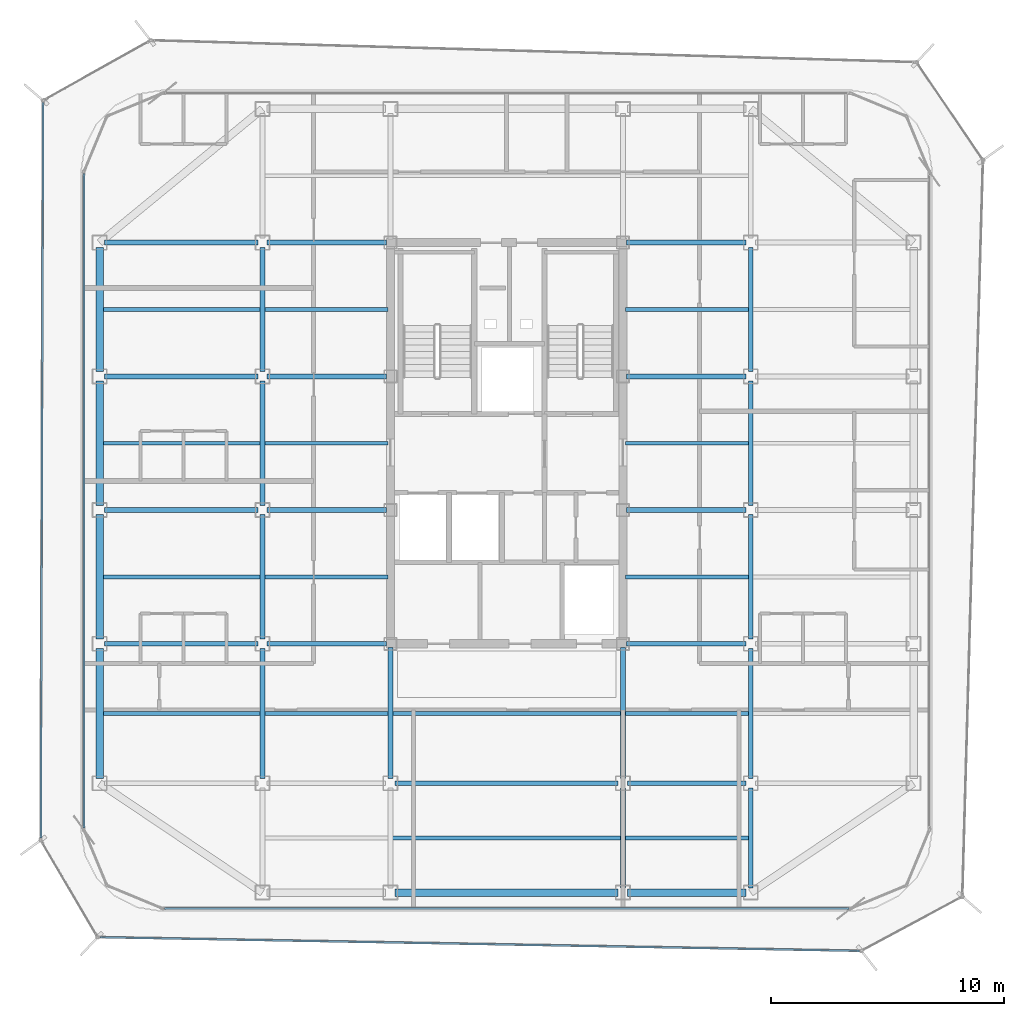
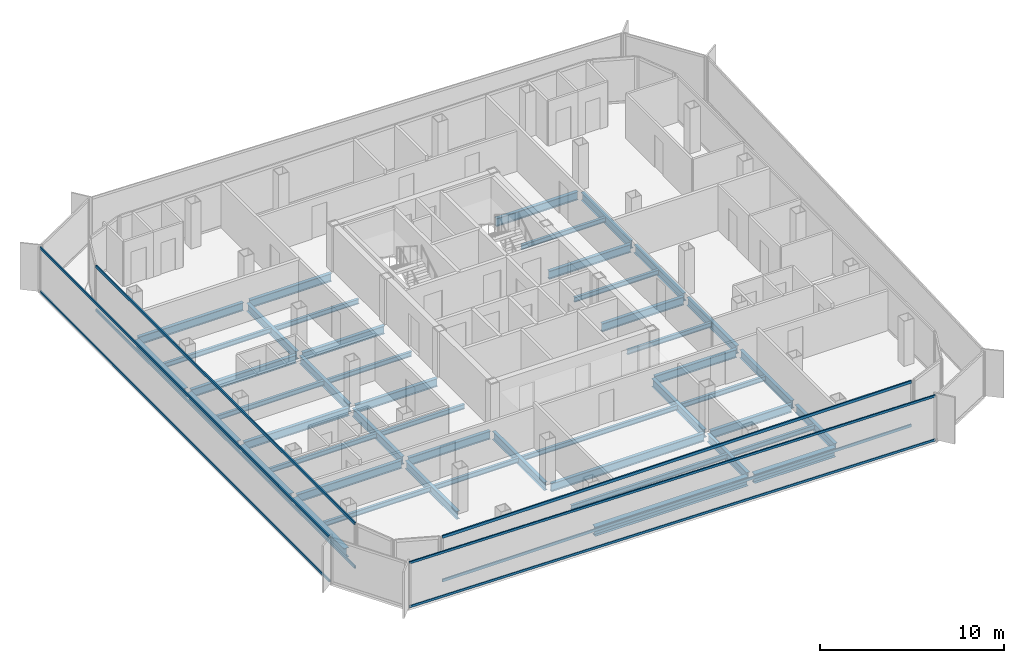
# One storey, part 3 of 14: 47 beams, 8 members, 4 elements without a shape of their own.
"""IFC4 building model written with IfcOpenShell, lengths in metres."""

from ifc_helpers import new_model, si_unit, direction, frame, origin, origin_2d, place, context, subcontext, project, spatial, hollow_rectangle, i_section, extrude, source, transform, mapped, material, layer, layer_set, material_profile, profile_set, type_object, element, aggregate, save


model = new_model("IFC4")

# Units and contexts
model_context = context("Model", 3, precision=1e-05, world=origin(), true_north=direction((0.0, 1.0)))
body_context = subcontext(model_context, "Body", "Model", "MODEL_VIEW")
ifc_project = project(units=[si_unit("LENGTHUNIT", "METRE"), si_unit("AREAUNIT", "SQUARE_METRE"), si_unit("VOLUMEUNIT", "CUBIC_METRE"), si_unit("PLANEANGLEUNIT", "RADIAN"), si_unit("MASSUNIT", "GRAM", prefix="KILO")], contexts=[model_context])

# Site, building, storey
site_placement = place(None, origin())
site = spatial("IfcSite", under=ifc_project, at=site_placement, CompositionType="ELEMENT")
building_placement = place(site_placement, origin())
building = spatial("IfcBuilding", under=site, at=building_placement, Name="Kolveth Station Tower", CompositionType="ELEMENT")
storey_placement = place(building_placement, frame((0.0, 0.0, 226.5)))
storey = spatial("IfcBuildingStorey", under=building, at=storey_placement, Name="L64", CompositionType="ELEMENT", Elevation=226.5)

# Beams
ifc_material_1 = material(Name="Steel S355", Category="steel")
ifc_material_profile_1 = material_profile(ifc_material_1, i_section(OverallWidth=0.323974609375, OverallDepth=0.611083984375, WebThickness=0.0126953125, FlangeThickness=0.01904296875, at=origin_2d()), Name="W610x155")
ifc_profile_set_1 = profile_set([ifc_material_profile_1], Name="Steel S355")
beam_type_1 = type_object("IfcBeamType", Name="Beam_SP2", PredefinedType="SPANDREL", material=ifc_profile_set_1)
shared_shape_1 = source(origin(), body_context, "Body", "SweptSolid", [
    extrude(i_section(OverallWidth=0.323974609375, OverallDepth=0.611083984375, WebThickness=0.0126953125, FlangeThickness=0.01904296875, at=origin_2d()), origin(), (0.0, 0.0, 1.0), 5.10009765625),
])
beam_1_placement = place(storey_placement, frame((28.699951171875, 0.800048828125, -0.525390625), z_axis=(1.0, 0.0, 0.0), x_axis=(0.0, 1.0, 0.0)))
element("IfcBeam", 1, at=beam_1_placement, inside=storey, type_object=beam_type_1, Name="L64 Perimeter Spandrel BM-L64-PS-3", PredefinedType="SPANDREL", context=body_context, shape_type="MappedRepresentation", body=[
    mapped(shared_shape_1, transform((0.0, 0.0, 0.0), x_axis=(1.0, 0.0, 0.0), y_axis=(0.0, 1.0, 0.0), z_axis=(0.0, 0.0, 1.0), scale=1.0)),
])
shared_shape_2 = source(origin(), body_context, "Body", "SweptSolid", [
    extrude(i_section(OverallWidth=0.323974609375, OverallDepth=0.611083984375, WebThickness=0.0126953125, FlangeThickness=0.01904296875, at=origin_2d()), origin(), (0.0, 0.0, 1.0), 9.60009765625),
])
beam_2_placement = place(storey_placement, frame((18.699951171875, 0.800048828125, -0.525390625), z_axis=(1.0, 0.0, 0.0), x_axis=(0.0, 1.0, 0.0)))
element("IfcBeam", 2, at=beam_2_placement, inside=storey, type_object=beam_type_1, Name="L64 Perimeter Spandrel BM-L64-PS-2", PredefinedType="SPANDREL", context=body_context, shape_type="MappedRepresentation", body=[
    mapped(shared_shape_2, transform((0.0, 0.0, 0.0), x_axis=(1.0, 0.0, 0.0), y_axis=(0.0, 1.0, 0.0), z_axis=(0.0, 0.0, 1.0), scale=1.0)),
])
shared_shape_3 = source(origin(), body_context, "Body", "SweptSolid", [
    extrude(i_section(OverallWidth=0.323974609375, OverallDepth=0.611083984375, WebThickness=0.0126953125, FlangeThickness=0.01904296875, at=origin_2d()), origin(), (0.0, 0.0, 1.0), 5.60009765625),
])
beam_3_placement = place(storey_placement, frame((6.0, 5.699951171875, -0.525390625), z_axis=(0.0, 1.0, 0.0), x_axis=(-1.0, 0.0, 0.0)))
element("IfcBeam", 3, at=beam_3_placement, inside=storey, type_object=beam_type_1, Name="L64 Perimeter Spandrel BM-L64-PW-1", PredefinedType="SPANDREL", context=body_context, shape_type="MappedRepresentation", body=[
    mapped(shared_shape_3, transform((0.0, 0.0, 0.0), x_axis=(1.0, 0.0, 0.0), y_axis=(0.0, 1.0, 0.0), z_axis=(0.0, 0.0, 1.0), scale=1.0)),
])
shared_shape_4 = source(origin(), body_context, "Body", "SweptSolid", [
    extrude(i_section(OverallWidth=0.323974609375, OverallDepth=0.611083984375, WebThickness=0.0126953125, FlangeThickness=0.01904296875, at=origin_2d()), origin(), (0.0, 0.0, 1.0), 5.35009765625),
])
for number, where, z_axis, x_axis, name in (
    (4, (6.0, 11.699951171875, -0.525390625), (0.0, 1.0, 0.0), (-1.0, 0.0, 0.0), "L64 Perimeter Spandrel BM-L64-PW-2"),
    (5, (6.0, 17.449951171875, -0.525390625), (0.0, 1.0, 0.0), (-1.0, 0.0, 0.0), "L64 Perimeter Spandrel BM-L64-PW-3"),
    (6, (6.0, 23.199951171875, -0.525390625), (0.0, 1.0, 0.0), (-1.0, 0.0, 0.0), "L64 Perimeter Spandrel BM-L64-PW-4"),
):
    element("IfcBeam", number, at=place(storey_placement, frame(where, z_axis=z_axis, x_axis=x_axis)), inside=storey, type_object=beam_type_1, Name=name, PredefinedType="SPANDREL", context=body_context, shape_type="MappedRepresentation", body=[
        mapped(shared_shape_4, transform((0.0, 0.0, 0.0), x_axis=(1.0, 0.0, 0.0), y_axis=(0.0, 1.0, 0.0), z_axis=(0.0, 0.0, 1.0), scale=1.0)),
    ])
ifc_material_profile_2 = material_profile(ifc_material_1, i_section(OverallWidth=0.2099609375, OverallDepth=0.537109375, WebThickness=0.010986328125, FlangeThickness=0.017333984375, at=origin_2d()), Name="W530x101")
ifc_profile_set_2 = profile_set([ifc_material_profile_2], Name="Steel S355")
beam_type_2 = type_object("IfcBeamType", Name="Beam_B6", PredefinedType="BEAM", material=ifc_profile_set_2)
shared_shape_5 = source(origin(), body_context, "Body", "SweptSolid", [
    extrude(i_section(OverallWidth=0.2099609375, OverallDepth=0.537109375, WebThickness=0.010986328125, FlangeThickness=0.017333984375, at=origin_2d()), origin(), (0.0, 0.0, 1.0), 6.60009765625),
])
for number, where, z_axis, x_axis, name in (
    (7, (6.199951171875, 11.5, -0.488525390625), (1.0, 0.0, 0.0), (0.0, 1.0, 0.0), "L64 Primary Girder BM-L64-GY115-1"),
    (8, (6.199951171875, 17.25, -0.488525390625), (1.0, 0.0, 0.0), (0.0, 1.0, 0.0), "L64 Primary Girder BM-L64-GY172-1"),
    (9, (6.199951171875, 23.0, -0.488525390625), (1.0, 0.0, 0.0), (0.0, 1.0, 0.0), "L64 Primary Girder BM-L64-GY230-1"),
    (10, (6.199951171875, 28.75, -0.488525390625), (1.0, 0.0, 0.0), (0.0, 1.0, 0.0), "L64 Primary Girder BM-L64-GY287-1"),
):
    element("IfcBeam", number, at=place(storey_placement, frame(where, z_axis=z_axis, x_axis=x_axis)), inside=storey, type_object=beam_type_2, Name=name, PredefinedType="BEAM", context=body_context, shape_type="MappedRepresentation", body=[
        mapped(shared_shape_5, transform((0.0, 0.0, 0.0), x_axis=(1.0, 0.0, 0.0), y_axis=(0.0, 1.0, 0.0), z_axis=(0.0, 0.0, 1.0), scale=1.0)),
    ])
shared_shape_6 = source(origin(), body_context, "Body", "SweptSolid", [
    extrude(i_section(OverallWidth=0.2099609375, OverallDepth=0.537109375, WebThickness=0.010986328125, FlangeThickness=0.017333984375, at=origin_2d()), origin(), (0.0, 0.0, 1.0), 5.10009765625),
])
beam_4_placement = place(storey_placement, frame((28.699951171875, 5.5, -0.488525390625), z_axis=(1.0, 0.0, 0.0), x_axis=(0.0, 1.0, 0.0)))
element("IfcBeam", 11, at=beam_4_placement, inside=storey, type_object=beam_type_2, Name="L64 Primary Girder BM-L64-GY55-4", PredefinedType="BEAM", context=body_context, shape_type="MappedRepresentation", body=[
    mapped(shared_shape_6, transform((0.0, 0.0, 0.0), x_axis=(1.0, 0.0, 0.0), y_axis=(0.0, 1.0, 0.0), z_axis=(0.0, 0.0, 1.0), scale=1.0)),
])
shared_shape_7 = source(origin(), body_context, "Body", "SweptSolid", [
    extrude(i_section(OverallWidth=0.2099609375, OverallDepth=0.537109375, WebThickness=0.010986328125, FlangeThickness=0.017333984375, at=origin_2d()), origin(), (0.0, 0.0, 1.0), 9.60009765625),
])
beam_5_placement = place(storey_placement, frame((18.699951171875, 5.5, -0.488525390625), z_axis=(1.0, 0.0, 0.0), x_axis=(0.0, 1.0, 0.0)))
element("IfcBeam", 12, at=beam_5_placement, inside=storey, type_object=beam_type_2, Name="L64 Primary Girder BM-L64-GY55-3", PredefinedType="BEAM", context=body_context, shape_type="MappedRepresentation", body=[
    mapped(shared_shape_7, transform((0.0, 0.0, 0.0), x_axis=(1.0, 0.0, 0.0), y_axis=(0.0, 1.0, 0.0), z_axis=(0.0, 0.0, 1.0), scale=1.0)),
])
shared_shape_8 = source(origin(), body_context, "Body", "SweptSolid", [
    extrude(i_section(OverallWidth=0.2099609375, OverallDepth=0.537109375, WebThickness=0.010986328125, FlangeThickness=0.017333984375, at=origin_2d()), origin(), (0.0, 0.0, 1.0), 5.14013671875),
])
for number, where, z_axis, x_axis, name in (
    (13, (13.199951171875, 11.5, -0.488525390625), (1.0, 0.0, 0.0), (0.0, 1.0, 0.0), "L64 Primary Girder BM-L64-GY115-2"),
    (14, (28.659912109375, 11.5, -0.488525390625), (1.0, 0.0, 0.0), (0.0, 1.0, 0.0), "L64 Primary Girder BM-L64-GY115-4"),
    (15, (13.199951171875, 17.25, -0.488525390625), (1.0, 0.0, 0.0), (0.0, 1.0, 0.0), "L64 Primary Girder BM-L64-GY172-2"),
    (16, (28.659912109375, 17.25, -0.488525390625), (1.0, 0.0, 0.0), (0.0, 1.0, 0.0), "L64 Primary Girder BM-L64-GY172-4"),
    (17, (13.199951171875, 23.0, -0.488525390625), (1.0, 0.0, 0.0), (0.0, 1.0, 0.0), "L64 Primary Girder BM-L64-GY230-2"),
    (18, (28.659912109375, 23.0, -0.488525390625), (1.0, 0.0, 0.0), (0.0, 1.0, 0.0), "L64 Primary Girder BM-L64-GY230-4"),
    (19, (13.199951171875, 28.75, -0.488525390625), (1.0, 0.0, 0.0), (0.0, 1.0, 0.0), "L64 Primary Girder BM-L64-GY287-2"),
    (20, (28.659912109375, 28.75, -0.488525390625), (1.0, 0.0, 0.0), (0.0, 1.0, 0.0), "L64 Primary Girder BM-L64-GY287-4"),
):
    element("IfcBeam", number, at=place(storey_placement, frame(where, z_axis=z_axis, x_axis=x_axis)), inside=storey, type_object=beam_type_2, Name=name, PredefinedType="BEAM", context=body_context, shape_type="MappedRepresentation", body=[
        mapped(shared_shape_8, transform((0.0, 0.0, 0.0), x_axis=(1.0, 0.0, 0.0), y_axis=(0.0, 1.0, 0.0), z_axis=(0.0, 0.0, 1.0), scale=1.0)),
    ])
shared_shape_9 = source(origin(), body_context, "Body", "SweptSolid", [
    extrude(i_section(OverallWidth=0.2099609375, OverallDepth=0.537109375, WebThickness=0.010986328125, FlangeThickness=0.017333984375, at=origin_2d()), origin(), (0.0, 0.0, 1.0), 4.300048828125),
])
for number, where, z_axis, x_axis, name in (
    (21, (28.5, 1.0, -0.488525390625), (0.0, 1.0, 0.0), (-1.0, 0.0, 0.0), "L64 Primary Girder BM-L64-GX285-1"),
    (22, (34.0, 1.0, -0.488525390625), (0.0, 1.0, 0.0), (-1.0, 0.0, 0.0), "L64 Primary Girder BM-L64-GX340-1"),
):
    element("IfcBeam", number, at=place(storey_placement, frame(where, z_axis=z_axis, x_axis=x_axis)), inside=storey, type_object=beam_type_2, Name=name, PredefinedType="BEAM", context=body_context, shape_type="MappedRepresentation", body=[
        mapped(shared_shape_9, transform((0.0, 0.0, 0.0), x_axis=(1.0, 0.0, 0.0), y_axis=(0.0, 1.0, 0.0), z_axis=(0.0, 0.0, 1.0), scale=1.0)),
    ])
shared_shape_10 = source(origin(), body_context, "Body", "SweptSolid", [
    extrude(i_section(OverallWidth=0.2099609375, OverallDepth=0.537109375, WebThickness=0.010986328125, FlangeThickness=0.017333984375, at=origin_2d()), origin(), (0.0, 0.0, 1.0), 5.60009765625),
])
for number, where, z_axis, x_axis, name in (
    (23, (13.0, 5.699951171875, -0.488525390625), (0.0, 1.0, 0.0), (-1.0, 0.0, 0.0), "L64 Primary Girder BM-L64-GX130-2"),
    (24, (34.0, 5.699951171875, -0.488525390625), (0.0, 1.0, 0.0), (-1.0, 0.0, 0.0), "L64 Primary Girder BM-L64-GX340-2"),
):
    element("IfcBeam", number, at=place(storey_placement, frame(where, z_axis=z_axis, x_axis=x_axis)), inside=storey, type_object=beam_type_2, Name=name, PredefinedType="BEAM", context=body_context, shape_type="MappedRepresentation", body=[
        mapped(shared_shape_10, transform((0.0, 0.0, 0.0), x_axis=(1.0, 0.0, 0.0), y_axis=(0.0, 1.0, 0.0), z_axis=(0.0, 0.0, 1.0), scale=1.0)),
    ])
shared_shape_11 = source(origin(), body_context, "Body", "SweptSolid", [
    extrude(i_section(OverallWidth=0.2099609375, OverallDepth=0.537109375, WebThickness=0.010986328125, FlangeThickness=0.017333984375, at=origin_2d()), origin(), (0.0, 0.0, 1.0), 5.35009765625),
])
for number, where, z_axis, x_axis, name in (
    (25, (13.0, 11.699951171875, -0.488525390625), (0.0, 1.0, 0.0), (-1.0, 0.0, 0.0), "L64 Primary Girder BM-L64-GX130-3"),
    (26, (13.0, 17.449951171875, -0.488525390625), (0.0, 1.0, 0.0), (-1.0, 0.0, 0.0), "L64 Primary Girder BM-L64-GX130-4"),
    (27, (13.0, 23.199951171875, -0.488525390625), (0.0, 1.0, 0.0), (-1.0, 0.0, 0.0), "L64 Primary Girder BM-L64-GX130-5"),
    (28, (34.0, 11.699951171875, -0.488525390625), (0.0, 1.0, 0.0), (-1.0, 0.0, 0.0), "L64 Primary Girder BM-L64-GX340-3"),
    (29, (34.0, 17.449951171875, -0.488525390625), (0.0, 1.0, 0.0), (-1.0, 0.0, 0.0), "L64 Primary Girder BM-L64-GX340-4"),
    (30, (34.0, 23.199951171875, -0.488525390625), (0.0, 1.0, 0.0), (-1.0, 0.0, 0.0), "L64 Primary Girder BM-L64-GX340-5"),
):
    element("IfcBeam", number, at=place(storey_placement, frame(where, z_axis=z_axis, x_axis=x_axis)), inside=storey, type_object=beam_type_2, Name=name, PredefinedType="BEAM", context=body_context, shape_type="MappedRepresentation", body=[
        mapped(shared_shape_11, transform((0.0, 0.0, 0.0), x_axis=(1.0, 0.0, 0.0), y_axis=(0.0, 1.0, 0.0), z_axis=(0.0, 0.0, 1.0), scale=1.0)),
    ])
shared_shape_12 = source(origin(), body_context, "Body", "SweptSolid", [
    extrude(i_section(OverallWidth=0.2099609375, OverallDepth=0.537109375, WebThickness=0.010986328125, FlangeThickness=0.017333984375, at=origin_2d()), origin(), (0.0, 0.0, 1.0), 5.64013671875),
])
for number, where, z_axis, x_axis, name in (
    (31, (18.5, 5.699951171875, -0.488525390625), (0.0, 1.0, 0.0), (-1.0, 0.0, 0.0), "L64 Primary Girder BM-L64-GX185-2"),
    (32, (28.5, 5.699951171875, -0.488525390625), (0.0, 1.0, 0.0), (-1.0, 0.0, 0.0), "L64 Primary Girder BM-L64-GX285-2"),
):
    element("IfcBeam", number, at=place(storey_placement, frame(where, z_axis=z_axis, x_axis=x_axis)), inside=storey, type_object=beam_type_2, Name=name, PredefinedType="BEAM", context=body_context, shape_type="MappedRepresentation", body=[
        mapped(shared_shape_12, transform((0.0, 0.0, 0.0), x_axis=(1.0, 0.0, 0.0), y_axis=(0.0, 1.0, 0.0), z_axis=(0.0, 0.0, 1.0), scale=1.0)),
    ])
ifc_material_profile_3 = material_profile(ifc_material_1, i_section(OverallWidth=0.1650390625, OverallDepth=0.31005859375, WebThickness=0.005859375, FlangeThickness=0.009765625, at=origin_2d()), Name="W310x39")
ifc_profile_set_3 = profile_set([ifc_material_profile_3], Name="Steel S355")
beam_type_3 = type_object("IfcBeamType", Name="Beam_J3", PredefinedType="JOIST", material=ifc_profile_set_3)
shared_shape_13 = source(origin(), body_context, "Body", "SweptSolid", [
    extrude(i_section(OverallWidth=0.1650390625, OverallDepth=0.31005859375, WebThickness=0.005859375, FlangeThickness=0.009765625, at=origin_2d()), origin(), (0.0, 0.0, 1.0), 6.737060546875),
])
for number, where, z_axis, x_axis, name in (
    (33, (6.159912109375, 8.5, -0.375), (1.0, 0.0, 0.0), (0.0, 1.0, 0.0), "L64 Secondary Joist JST-L64-1-2"),
    (34, (6.159912109375, 14.375, -0.375), (1.0, 0.0, 0.0), (0.0, 1.0, 0.0), "L64 Secondary Joist JST-L64-1-3"),
    (35, (6.159912109375, 20.125, -0.375), (1.0, 0.0, 0.0), (0.0, 1.0, 0.0), "L64 Secondary Joist JST-L64-1-4"),
    (36, (6.159912109375, 25.875, -0.375), (1.0, 0.0, 0.0), (0.0, 1.0, 0.0), "L64 Secondary Joist JST-L64-1-5"),
):
    element("IfcBeam", number, at=place(storey_placement, frame(where, z_axis=z_axis, x_axis=x_axis)), inside=storey, type_object=beam_type_3, Name=name, PredefinedType="JOIST", context=body_context, shape_type="MappedRepresentation", body=[
        mapped(shared_shape_13, transform((0.0, 0.0, 0.0), x_axis=(1.0, 0.0, 0.0), y_axis=(0.0, 1.0, 0.0), z_axis=(0.0, 0.0, 1.0), scale=1.0)),
    ])
shared_shape_14 = source(origin(), body_context, "Body", "SweptSolid", [
    extrude(i_section(OverallWidth=0.1650390625, OverallDepth=0.31005859375, WebThickness=0.005859375, FlangeThickness=0.009765625, at=origin_2d()), origin(), (0.0, 0.0, 1.0), 5.2939453125),
])
for number, where, z_axis, x_axis, name in (
    (37, (13.10302734375, 8.5, -0.375), (1.0, 0.0, 0.0), (0.0, 1.0, 0.0), "L64 Secondary Joist JST-L64-2-2"),
    (38, (13.10302734375, 14.375, -0.375), (1.0, 0.0, 0.0), (0.0, 1.0, 0.0), "L64 Secondary Joist JST-L64-2-3"),
    (39, (13.10302734375, 20.125, -0.375), (1.0, 0.0, 0.0), (0.0, 1.0, 0.0), "L64 Secondary Joist JST-L64-2-4"),
    (40, (13.10302734375, 25.875, -0.375), (1.0, 0.0, 0.0), (0.0, 1.0, 0.0), "L64 Secondary Joist JST-L64-2-5"),
    (41, (28.60302734375, 3.14990234375, -0.375), (1.0, 0.0, 0.0), (0.0, 1.0, 0.0), "L64 Secondary Joist JST-L64-4-1"),
    (42, (28.60302734375, 8.5, -0.375), (1.0, 0.0, 0.0), (0.0, 1.0, 0.0), "L64 Secondary Joist JST-L64-4-2"),
    (43, (28.60302734375, 14.375, -0.375), (1.0, 0.0, 0.0), (0.0, 1.0, 0.0), "L64 Secondary Joist JST-L64-4-3"),
    (44, (28.60302734375, 20.125, -0.375), (1.0, 0.0, 0.0), (0.0, 1.0, 0.0), "L64 Secondary Joist JST-L64-4-4"),
    (45, (28.60302734375, 25.875, -0.375), (1.0, 0.0, 0.0), (0.0, 1.0, 0.0), "L64 Secondary Joist JST-L64-4-5"),
):
    element("IfcBeam", number, at=place(storey_placement, frame(where, z_axis=z_axis, x_axis=x_axis)), inside=storey, type_object=beam_type_3, Name=name, PredefinedType="JOIST", context=body_context, shape_type="MappedRepresentation", body=[
        mapped(shared_shape_14, transform((0.0, 0.0, 0.0), x_axis=(1.0, 0.0, 0.0), y_axis=(0.0, 1.0, 0.0), z_axis=(0.0, 0.0, 1.0), scale=1.0)),
    ])
shared_shape_15 = source(origin(), body_context, "Body", "SweptSolid", [
    extrude(i_section(OverallWidth=0.1650390625, OverallDepth=0.31005859375, WebThickness=0.005859375, FlangeThickness=0.009765625, at=origin_2d()), origin(), (0.0, 0.0, 1.0), 9.7939453125),
])
for number, where, z_axis, x_axis, name in (
    (46, (18.60302734375, 3.14990234375, -0.375), (1.0, 0.0, 0.0), (0.0, 1.0, 0.0), "L64 Secondary Joist JST-L64-3-1"),
    (47, (18.60302734375, 8.5, -0.375), (1.0, 0.0, 0.0), (0.0, 1.0, 0.0), "L64 Secondary Joist JST-L64-3-2"),
):
    element("IfcBeam", number, at=place(storey_placement, frame(where, z_axis=z_axis, x_axis=x_axis)), inside=storey, type_object=beam_type_3, Name=name, PredefinedType="JOIST", context=body_context, shape_type="MappedRepresentation", body=[
        mapped(shared_shape_15, transform((0.0, 0.0, 0.0), x_axis=(1.0, 0.0, 0.0), y_axis=(0.0, 1.0, 0.0), z_axis=(0.0, 0.0, 1.0), scale=1.0)),
    ])

# Curtain wall, members
ifc_material_2 = material(Name="Aluminium 6063-T6 and triple low-E dark glass", Category="aluminium")
ifc_layer_1 = layer(ifc_material_2, 0.199951171875)
ifc_layer_set_1 = layer_set([ifc_layer_1], Name="Aluminium 6063-T6 and triple low-E dark glass")
curtain_wall_type_1 = type_object("IfcCurtainWallType", Name="CurtainWall_CW-Z3", PredefinedType="NOTDEFINED", material=ifc_layer_set_1)
curtain_wall_1_placement = place(storey_placement, origin())
curtain_wall_1 = element("IfcCurtainWall", 48, at=curtain_wall_1_placement, inside=storey, type_object=curtain_wall_type_1, Name="L64 Inner Thermal Curtain Wall 9", PredefinedType="NOTDEFINED")
ifc_material_3 = material(Name="Black anodized aluminium 6063-T6", Category="aluminium")
ifc_material_profile_4 = material_profile(ifc_material_3, hollow_rectangle(XDim=0.0849609375, YDim=0.179931640625, WallThickness=0.0048828125, at=origin_2d()), Name="ALU-85x180x5")
ifc_profile_set_4 = profile_set([ifc_material_profile_4], Name="Black anodized aluminium 6063-T6")
member_type_1 = type_object("IfcMemberType", Name="Transom_TR3", PredefinedType="USERDEFINED", material=ifc_profile_set_4)
shared_shape_16 = source(origin(), body_context, "Body", "SweptSolid", [
    extrude(hollow_rectangle(XDim=0.0849609375, YDim=0.179931640625, WallThickness=0.0048828125, at=origin_2d()), origin(), (0.0, 0.0, 1.0), 28.130126953125),
])
member_1_placement = place(storey_placement, frame((5.320068359375, 31.715087890625, 0.04248046875), z_axis=(0.0, -1.0, 0.0), x_axis=(1.0, 0.0, 0.0)))
member_1 = element("IfcMember", 49, at=member_1_placement, type_object=member_type_1, Name="CW-Z3 transom 1.1", ObjectType="TRANSOM", PredefinedType="USERDEFINED", context=body_context, shape_type="MappedRepresentation", body=[
    mapped(shared_shape_16, transform((0.0, 0.0, 0.0), x_axis=(1.0, 0.0, 0.0), y_axis=(0.0, 1.0, 0.0), z_axis=(0.0, 0.0, 1.0), scale=1.0)),
])
member_2_placement = place(storey_placement, frame((5.320068359375, 31.715087890625, 2.9375), z_axis=(0.0, -1.0, 0.0), x_axis=(1.0, 0.0, 0.0)))
member_2 = element("IfcMember", 50, at=member_2_placement, type_object=member_type_1, Name="CW-Z3 transom 1.2", ObjectType="TRANSOM", PredefinedType="USERDEFINED", context=body_context, shape_type="MappedRepresentation", body=[
    mapped(shared_shape_16, transform((0.0, 0.0, 0.0), x_axis=(1.0, 0.0, 0.0), y_axis=(0.0, 1.0, 0.0), z_axis=(0.0, 0.0, 1.0), scale=1.0)),
])
aggregate(curtain_wall_1, [member_1, member_2])

curtain_wall_2_placement = place(storey_placement, origin())
curtain_wall_2 = element("IfcCurtainWall", 51, at=curtain_wall_2_placement, inside=storey, type_object=curtain_wall_type_1, Name="L64 Inner Thermal Curtain Wall 12", PredefinedType="NOTDEFINED")
shared_shape_17 = source(origin(), body_context, "Body", "SweptSolid", [
    extrude(hollow_rectangle(XDim=0.0849609375, YDim=0.179931640625, WallThickness=0.0048828125, at=origin_2d()), origin(), (0.0, 0.0, 1.0), 29.43017578125),
])
member_3_placement = place(storey_placement, frame((8.784912109375, 0.1201171875, 0.04248046875), z_axis=(1.0, 0.0, 0.0), x_axis=(0.0, 1.0, 0.0)))
member_3 = element("IfcMember", 52, at=member_3_placement, type_object=member_type_1, Name="CW-Z3 transom 1.1", ObjectType="TRANSOM", PredefinedType="USERDEFINED", context=body_context, shape_type="MappedRepresentation", body=[
    mapped(shared_shape_17, transform((0.0, 0.0, 0.0), x_axis=(1.0, 0.0, 0.0), y_axis=(0.0, 1.0, 0.0), z_axis=(0.0, 0.0, 1.0), scale=1.0)),
])
member_4_placement = place(storey_placement, frame((8.784912109375, 0.1201171875, 2.9375), z_axis=(1.0, 0.0, 0.0), x_axis=(0.0, 1.0, 0.0)))
member_4 = element("IfcMember", 53, at=member_4_placement, type_object=member_type_1, Name="CW-Z3 transom 1.2", ObjectType="TRANSOM", PredefinedType="USERDEFINED", context=body_context, shape_type="MappedRepresentation", body=[
    mapped(shared_shape_17, transform((0.0, 0.0, 0.0), x_axis=(1.0, 0.0, 0.0), y_axis=(0.0, 1.0, 0.0), z_axis=(0.0, 0.0, 1.0), scale=1.0)),
])
aggregate(curtain_wall_2, [member_3, member_4])

ifc_material_4 = material(Name="Black anodized aluminium 6063-T6 and dark solar glass", Category="aluminium")
ifc_layer_2 = layer(ifc_material_4, 0.159912109375)
ifc_layer_set_2 = layer_set([ifc_layer_2], Name="Black anodized aluminium 6063-T6 and dark solar glass")
curtain_wall_type_2 = type_object("IfcCurtainWallType", Name="OUTER SKIN CW-OS", PredefinedType="NOTDEFINED", material=ifc_layer_set_2)
curtain_wall_3_placement = place(storey_placement, origin())
curtain_wall_3 = element("IfcCurtainWall", 54, at=curtain_wall_3_placement, inside=storey, type_object=curtain_wall_type_2, Name="L64 Outer Ventilated Skin Curtain Wall 6", PredefinedType="NOTDEFINED")
ifc_material_profile_5 = material_profile(ifc_material_3, hollow_rectangle(XDim=0.080078125, YDim=0.14990234375, WallThickness=0.0048828125, at=origin_2d()), Name="ALU-80x150x5")
ifc_profile_set_5 = profile_set([ifc_material_profile_5], Name="Black anodized aluminium 6063-T6")
member_type_2 = type_object("IfcMemberType", Name="Transom_TR-OS", PredefinedType="USERDEFINED", material=ifc_profile_set_5)
shared_shape_18 = source(origin(), body_context, "Body", "SweptSolid", [
    extrude(hollow_rectangle(XDim=0.080078125, YDim=0.14990234375, WallThickness=0.0048828125, at=origin_2d()), origin(), (0.0, 0.0, 1.0), 31.62548828125),
])
member_5_placement = place(storey_placement, frame((3.568115234375, 34.770263671875, 0.0400390625), z_axis=(-0.003134224244, -0.999995088307, 0.0), x_axis=(0.999995088307, -0.003134224244, 0.0)))
member_5 = element("IfcMember", 55, at=member_5_placement, type_object=member_type_2, Name="CW-OS transom 1.1", ObjectType="TRANSOM", PredefinedType="USERDEFINED", context=body_context, shape_type="MappedRepresentation", body=[
    mapped(shared_shape_18, transform((0.0, 0.0, 0.0), x_axis=(1.0, 0.0, 0.0), y_axis=(0.0, 1.0, 0.0), z_axis=(0.0, 0.0, 1.0), scale=1.0)),
])
member_6_placement = place(storey_placement, frame((3.568115234375, 34.770263671875, 2.949951171875), z_axis=(-0.003134224244, -0.999995088307, 0.0), x_axis=(0.999995088307, -0.003134224244, 0.0)))
member_6 = element("IfcMember", 56, at=member_6_placement, type_object=member_type_2, Name="CW-OS transom 1.2", ObjectType="TRANSOM", PredefinedType="USERDEFINED", context=body_context, shape_type="MappedRepresentation", body=[
    mapped(shared_shape_18, transform((0.0, 0.0, 0.0), x_axis=(1.0, 0.0, 0.0), y_axis=(0.0, 1.0, 0.0), z_axis=(0.0, 0.0, 1.0), scale=1.0)),
])
aggregate(curtain_wall_3, [member_5, member_6])

curtain_wall_4_placement = place(storey_placement, origin())
curtain_wall_4 = element("IfcCurtainWall", 57, at=curtain_wall_4_placement, inside=storey, type_object=curtain_wall_type_2, Name="L64 Outer Ventilated Skin Curtain Wall 8", PredefinedType="NOTDEFINED")
shared_shape_19 = source(origin(), body_context, "Body", "SweptSolid", [
    extrude(hollow_rectangle(XDim=0.080078125, YDim=0.14990234375, WallThickness=0.0048828125, at=origin_2d()), origin(), (0.0, 0.0, 1.0), 32.666259765625),
])
member_7_placement = place(storey_placement, frame((6.006103515625, -1.119140625, 0.0400390625), z_axis=(0.999838579802, -0.01796703478, 0.0), x_axis=(0.01796703478, 0.999838579802, 0.0)))
member_7 = element("IfcMember", 58, at=member_7_placement, type_object=member_type_2, Name="CW-OS transom 1.1", ObjectType="TRANSOM", PredefinedType="USERDEFINED", context=body_context, shape_type="MappedRepresentation", body=[
    mapped(shared_shape_19, transform((0.0, 0.0, 0.0), x_axis=(1.0, 0.0, 0.0), y_axis=(0.0, 1.0, 0.0), z_axis=(0.0, 0.0, 1.0), scale=1.0)),
])
member_8_placement = place(storey_placement, frame((6.006103515625, -1.119140625, 2.949951171875), z_axis=(0.999838579802, -0.01796703478, 0.0), x_axis=(0.01796703478, 0.999838579802, 0.0)))
member_8 = element("IfcMember", 59, at=member_8_placement, type_object=member_type_2, Name="CW-OS transom 1.2", ObjectType="TRANSOM", PredefinedType="USERDEFINED", context=body_context, shape_type="MappedRepresentation", body=[
    mapped(shared_shape_19, transform((0.0, 0.0, 0.0), x_axis=(1.0, 0.0, 0.0), y_axis=(0.0, 1.0, 0.0), z_axis=(0.0, 0.0, 1.0), scale=1.0)),
])
aggregate(curtain_wall_4, [member_7, member_8])

save(model, "model.ifc")
